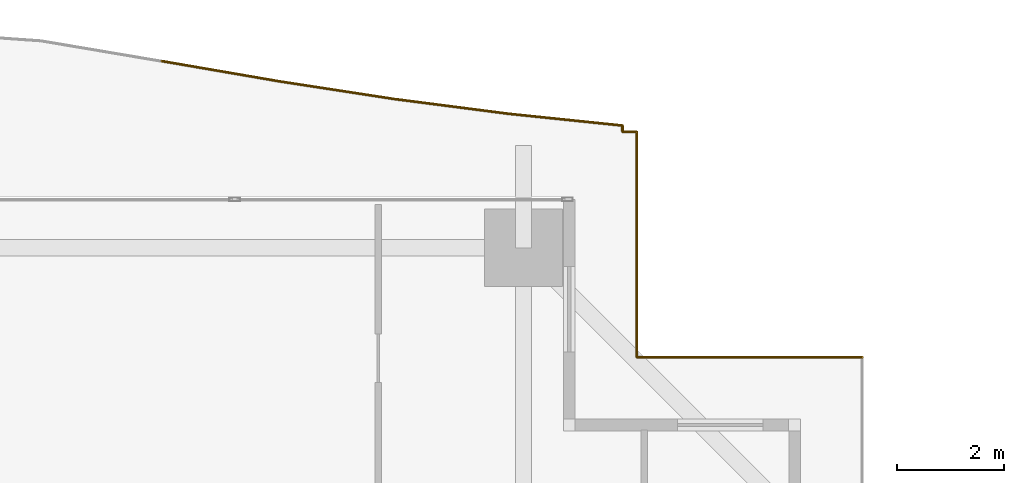
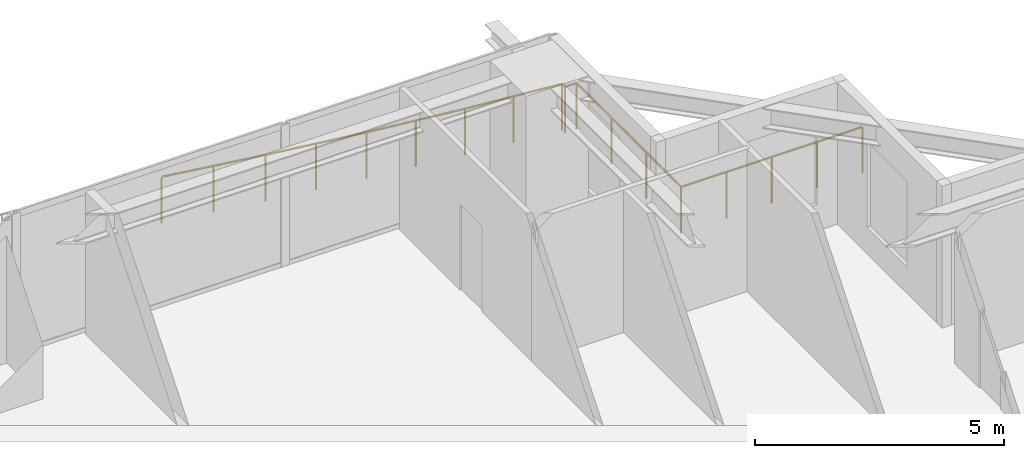
# One storey, part 34 of 34: 1 railing.
"""IFC4 building model written with IfcOpenShell, lengths in metres."""

from ifc_helpers import new_model, si_unit, direction, frame, origin, origin_2d, place, context, subcontext, project, spatial, circle, extrude, material, type_object, element, save


model = new_model("IFC4")

# Units and contexts
model_context = context("Model", 3, precision=1e-05, world=origin(), true_north=direction((0.0, 1.0)))
body_context = subcontext(model_context, "Body", "Model", "MODEL_VIEW")
ifc_project = project(units=[si_unit("LENGTHUNIT", "METRE"), si_unit("AREAUNIT", "SQUARE_METRE"), si_unit("VOLUMEUNIT", "CUBIC_METRE"), si_unit("PLANEANGLEUNIT", "RADIAN"), si_unit("MASSUNIT", "GRAM", prefix="KILO")], contexts=[model_context])

# Site, building, storey
site_placement = place(None, origin())
site = spatial("IfcSite", under=ifc_project, at=site_placement, CompositionType="ELEMENT")
building_placement = place(site_placement, origin())
building = spatial("IfcBuilding", under=site, at=building_placement, Name="Serunith Strait Residences", CompositionType="ELEMENT")
storey_placement = place(building_placement, frame((0.0, 0.0, 101.699951171875)))
storey = spatial("IfcBuildingStorey", under=building, at=storey_placement, Name="L25", CompositionType="ELEMENT", Elevation=101.699951171875)

# Railing
ifc_material = material(Name="Stainless Steel & Laminated Glass Balustrade", Category="steel")
railing_type = type_object("IfcRailingType", Name="RLG-BALC-1150", PredefinedType="BALUSTRADE", material=ifc_material)
railing_placement = place(storey_placement, frame((42.806640625, 52.77978515625, -0.050048828125)))
element("IfcRailing", 1, at=railing_placement, inside=storey, type_object=railing_type, Name="L25 Swirling Balcony Perimeter Balustrade 6", PredefinedType="BALUSTRADE", context=body_context, shape_type="SweptSolid", body=[
    extrude(circle(Radius=0.02392578125, at=origin_2d()), frame((0.001953125, -0.000244140625, 1.1259765625), z_axis=(0.985506416594, -0.1696381527, 0.0), x_axis=(0.1696381527, 0.985506416594, 0.0)), (0.0, 0.0, 1.0), 2.216552734375),
    extrude(circle(Radius=0.02392578125, at=origin_2d()), frame((2.1904296875, -0.376953125, 1.1259765625), z_axis=(0.988374293801, -0.152040308317, 0.0), x_axis=(0.152040308317, 0.988374293801, 0.0)), (0.0, 0.0, 1.0), 2.170166015625),
    extrude(circle(Radius=0.02392578125, at=origin_2d()), frame((4.33935546875, -0.70751953125, 1.1259765625), z_axis=(0.99177274132, -0.128011052545, 0.0), x_axis=(0.128011052545, 0.99177274132, 0.0)), (0.0, 0.0, 1.0), 2.1416015625),
    extrude(circle(Radius=0.02392578125, at=origin_2d()), frame((6.46728515625, -0.982177734375, 1.1259765625), z_axis=(0.994698258728, -0.102836637847, 0.0), x_axis=(0.102836637847, 0.994698258728, 0.0)), (0.0, 0.0, 1.0), 2.1279296875),
    extrude(circle(Radius=0.02392578125, at=origin_2d()), frame((8.5859375, -1.203125, 1.1259765625), z_axis=(-0.008230173922, -0.999966131545, 0.0), x_axis=(0.999966131545, -0.008230173922, 0.0)), (0.0, 0.0, 1.0), 0.11474609375),
    extrude(circle(Radius=0.02392578125, at=origin_2d()), frame((8.5869140625, -1.31982421875, 1.1259765625), z_axis=(1.0, 0.0, 0.0), x_axis=(0.0, 1.0, 0.0)), (0.0, 0.0, 1.0), 0.264404296875),
    extrude(circle(Radius=0.02392578125, at=origin_2d()), frame((8.853271484375, -1.32177734375, 1.1259765625), z_axis=(0.0, -1.0, 0.0), x_axis=(1.0, 0.0, 0.0)), (0.0, 0.0, 1.0), 4.196044921875),
    extrude(circle(Radius=0.02392578125, at=origin_2d()), frame((8.855224609375, -5.519775390625, 1.1259765625), z_axis=(1.0, 0.0, 0.0), x_axis=(0.0, 1.0, 0.0)), (0.0, 0.0, 1.0), 4.1962890625),
    extrude(circle(Radius=0.02099609375, at=origin_2d()), origin(), (0.0, 0.0, 1.0), 1.099853515625),
    extrude(circle(Radius=0.02099609375, at=origin_2d()), frame((1.09423828125, -0.1884765625, 0.0)), (0.0, 0.0, 1.0), 1.099853515625),
    extrude(circle(Radius=0.02099609375, at=origin_2d()), frame((2.1884765625, -0.376708984375, 0.0)), (0.0, 0.0, 1.0), 1.099853515625),
    extrude(circle(Radius=0.02099609375, at=origin_2d()), frame((3.262939453125, -0.5419921875, 0.0)), (0.0, 0.0, 1.0), 1.099853515625),
    extrude(circle(Radius=0.02099609375, at=origin_2d()), frame((4.33740234375, -0.707275390625, 0.0)), (0.0, 0.0, 1.0), 1.099853515625),
    extrude(circle(Radius=0.02099609375, at=origin_2d()), frame((5.4013671875, -0.8447265625, 0.0)), (0.0, 0.0, 1.0), 1.099853515625),
    extrude(circle(Radius=0.02099609375, at=origin_2d()), frame((6.46533203125, -0.98193359375, 0.0)), (0.0, 0.0, 1.0), 1.099853515625),
    extrude(circle(Radius=0.02099609375, at=origin_2d()), frame((7.525634765625, -1.091552734375, 0.0)), (0.0, 0.0, 1.0), 1.099853515625),
    extrude(circle(Radius=0.02099609375, at=origin_2d()), frame((8.5859375, -1.201171875, 0.0)), (0.0, 0.0, 1.0), 1.099853515625),
    extrude(circle(Radius=0.02099609375, at=origin_2d()), frame((8.5849609375, -1.31982421875, 0.0)), (0.0, 0.0, 1.0), 1.099853515625),
    extrude(circle(Radius=0.02099609375, at=origin_2d()), frame((8.853271484375, -1.31982421875, 0.0)), (0.0, 0.0, 1.0), 1.099853515625),
    extrude(circle(Radius=0.02099609375, at=origin_2d()), frame((8.853271484375, -2.7197265625, 0.0)), (0.0, 0.0, 1.0), 1.099853515625),
    extrude(circle(Radius=0.02099609375, at=origin_2d()), frame((8.853271484375, -4.119873046875, 0.0)), (0.0, 0.0, 1.0), 1.099853515625),
    extrude(circle(Radius=0.02099609375, at=origin_2d()), frame((8.853271484375, -5.519775390625, 0.0)), (0.0, 0.0, 1.0), 1.099853515625),
    extrude(circle(Radius=0.02099609375, at=origin_2d()), frame((9.9033203125, -5.519775390625, 0.0)), (0.0, 0.0, 1.0), 1.099853515625),
    extrude(circle(Radius=0.02099609375, at=origin_2d()), frame((10.953369140625, -5.519775390625, 0.0)), (0.0, 0.0, 1.0), 1.099853515625),
    extrude(circle(Radius=0.02099609375, at=origin_2d()), frame((12.00341796875, -5.519775390625, 0.0)), (0.0, 0.0, 1.0), 1.099853515625),
    extrude(circle(Radius=0.02099609375, at=origin_2d()), frame((13.053466796875, -5.519775390625, 0.0)), (0.0, 0.0, 1.0), 1.099853515625),
])

save(model, "model.ifc")
